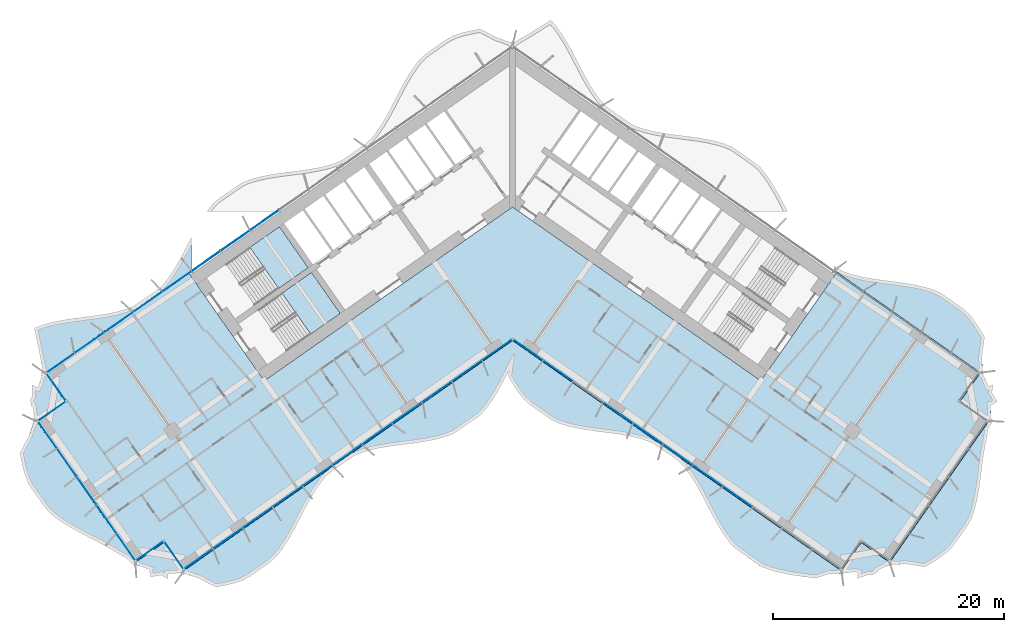
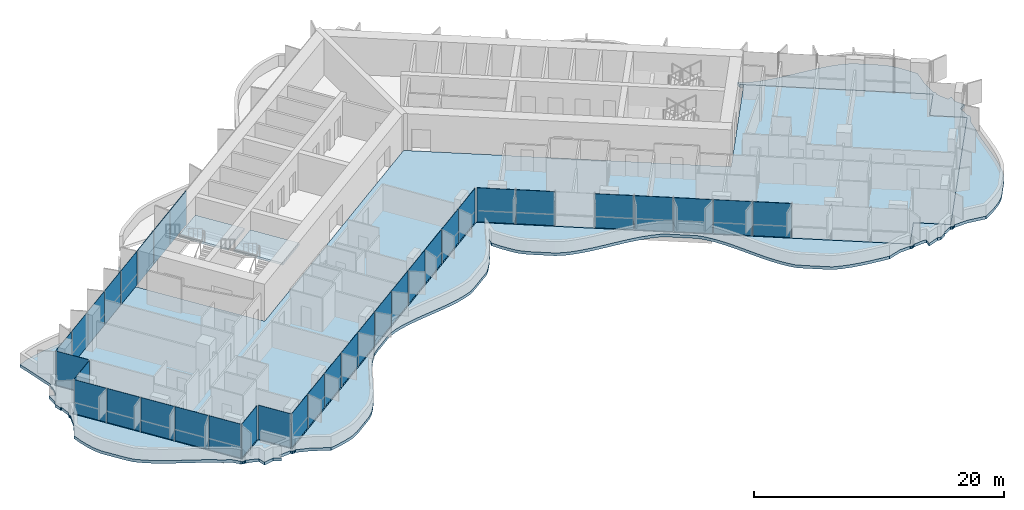
# One storey, part 10 of 23: 35 plates, 4 slabs, 4 elements without a shape of their own.
"""IFC4 building model written with IfcOpenShell, lengths in metres."""

import ifcopenshell
import ifcopenshell.guid

model = None  # the IFC model being written
_history = None  # IfcOwnerHistory: only IFC2X3 demands one
_inside = {}  # id of a spatial element -> (the spatial element, [elements in it])
_under = {}  # id of a project, library or spatial element -> (it, [spatial elements below it])
_declared = {}  # id of a project -> (the project, [libraries it declares])
_typed = {}  # id of a type object -> (the type object, [elements of that type])
_made_of = {}  # id of a material, layer set ... -> (it, [elements and type objects made of it])


def new_model(schema):
    """Start an empty IFC model of exactly this schema.

    Asked for "IFC4X3", IfcOpenShell would pick the latest addendum, in which some entities
    have other attributes; the version numbers below select the first issue.
    IFC2X3 requires an IfcOwnerHistory on every rooted entity: one is made here for all.
    """
    global model, _history
    if schema == "IFC4X3":
        model = ifcopenshell.file(schema_version=(4, 3, 0, 0))
    else:
        model = ifcopenshell.file(schema=schema)
    _inside.clear()
    _under.clear()
    _declared.clear()
    _typed.clear()
    _made_of.clear()
    _history = None
    if model.schema == "IFC2X3":
        org = make("IfcOrganization", Name="unknown")
        user = make(
            "IfcPersonAndOrganization",
            ThePerson=make("IfcPerson", FamilyName="unknown"),
            TheOrganization=org,
        )
        app = make(
            "IfcApplication",
            ApplicationDeveloper=org,
            Version="unknown",
            ApplicationFullName="unknown",
            ApplicationIdentifier="unknown",
        )
        _history = make(
            "IfcOwnerHistory",
            OwningUser=user,
            OwningApplication=app,
            ChangeAction="ADDED",
            CreationDate=0,
        )
    return model


def make(cls, **values):
    """One entity of the class cls with the attributes given. An attribute that is None is left unset."""
    return model.create_entity(
        cls, **{name: value for name, value in values.items() if value is not None}
    )


def rooted(cls, **values):
    """An entity with a GlobalId (a new one), such as an element, a storey or a relation."""
    return make(cls, GlobalId=ifcopenshell.guid.new(), OwnerHistory=_history, **values)


def si_unit(unit_type, name, prefix=None):
    """IfcSIUnit, for example si_unit("LENGTHUNIT", "METRE", prefix="MILLI")."""
    return make("IfcSIUnit", UnitType=unit_type, Prefix=prefix, Name=name)


def assignment(units):
    """IfcUnitAssignment: the units of a project."""
    return None if units is None else make("IfcUnitAssignment", Units=units)


def point(xyz):
    """IfcCartesianPoint."""
    return None if xyz is None else make("IfcCartesianPoint", Coordinates=xyz)


def direction(xyz):
    """IfcDirection."""
    return None if xyz is None else make("IfcDirection", DirectionRatios=xyz)


def frame(location, z_axis=None, x_axis=None):
    """IfcAxis2Placement3D, a coordinate frame: its origin and axes. An axis left out is left unset."""
    return make(
        "IfcAxis2Placement3D",
        Location=point(location),
        Axis=direction(z_axis),
        RefDirection=direction(x_axis),
    )


def frame_2d(location, x_axis=None):
    """IfcAxis2Placement2D, a coordinate frame in the plane: its origin and x axis."""
    return make(
        "IfcAxis2Placement2D", Location=point(location), RefDirection=direction(x_axis)
    )


def origin():
    """The frame at (0, 0, 0) with its axes left unset."""
    return frame((0.0, 0.0, 0.0))


def origin_2d():
    """The frame at (0, 0) in the plane with its x axis left unset."""
    return frame_2d((0.0, 0.0))


def place(relative_to, where):
    """IfcLocalPlacement: puts the frame where relative to a parent placement (None: the world)."""
    return make(
        "IfcLocalPlacement", PlacementRelTo=relative_to, RelativePlacement=where
    )


def context(
    kind, dimensions, precision=None, world=None, true_north=None, identifier=None
):
    """IfcGeometricRepresentationContext, for example the 3D "Model" context."""
    return make(
        "IfcGeometricRepresentationContext",
        ContextIdentifier=identifier,
        ContextType=kind,
        CoordinateSpaceDimension=dimensions,
        Precision=precision,
        WorldCoordinateSystem=world,
        TrueNorth=true_north,
    )


def subcontext(parent, identifier, kind, view, scale=None):
    """IfcGeometricRepresentationSubContext, for example "Body" below "Model"."""
    return make(
        "IfcGeometricRepresentationSubContext",
        ContextIdentifier=identifier,
        ContextType=kind,
        ParentContext=parent,
        TargetScale=scale,
        TargetView=view,
    )


def project(units=None, contexts=None):
    """IfcProject with its units and contexts."""
    return rooted(
        "IfcProject",
        Name="project",
        RepresentationContexts=contexts,
        UnitsInContext=assignment(units),
    )


def spatial(cls, under=None, at=None, **own):
    """A site, building, storey or space (cls), placed at a placement, below another one or the project."""
    s = rooted(cls, ObjectPlacement=at, **own)
    if under is not None:
        _under.setdefault(under.id(), (under, []))[1].append(s)
    return s


def polyline(points):
    """IfcPolyline through the points."""
    return make("IfcPolyline", Points=[point(p) for p in points])


def profile(cls, at=None, kind="AREA", **sizes):
    """A parametric profile (cls). Its sizes go by their IFC names, for example OverallWidth=200.0."""
    return make(cls, ProfileType=kind, Position=at, **sizes)


def rectangle(**sizes):
    """IfcRectangleProfileDef."""
    return profile("IfcRectangleProfileDef", **sizes)


def outline(outer, holes=None, kind="AREA"):
    """IfcArbitraryClosedProfileDef: a profile drawn as a closed curve; with holes, ...WithVoids."""
    if holes is None:
        return make("IfcArbitraryClosedProfileDef", ProfileType=kind, OuterCurve=outer)
    return make(
        "IfcArbitraryProfileDefWithVoids",
        ProfileType=kind,
        OuterCurve=outer,
        InnerCurves=holes,
    )


def extrude(swept, where, along, depth):
    """IfcExtrudedAreaSolid: the profile swept, set in the frame where, extruded along a direction by depth."""
    return make(
        "IfcExtrudedAreaSolid",
        SweptArea=swept,
        Position=where,
        ExtrudedDirection=direction(along),
        Depth=depth,
    )


def shape(context_of_items, identifier, shape_type, items):
    """IfcShapeRepresentation: the items that make up one representation, for example the "Body"."""
    return make(
        "IfcShapeRepresentation",
        ContextOfItems=context_of_items,
        RepresentationIdentifier=identifier,
        RepresentationType=shape_type,
        Items=items,
    )


def material(Name=None, Category=None):
    """IfcMaterial."""
    return make("IfcMaterial", Name=Name, Category=Category)


def layer(
    of_material, thickness, ventilated=None, Name=None, Category=None, Priority=None
):
    """IfcMaterialLayer: one layer of a wall or slab, of a material (None: an air gap)."""
    return make(
        "IfcMaterialLayer",
        Material=of_material,
        LayerThickness=thickness,
        IsVentilated=ventilated,
        Name=Name,
        Category=Category,
        Priority=Priority,
    )


def layer_set(layers, Name=None):
    """IfcMaterialLayerSet."""
    return make("IfcMaterialLayerSet", MaterialLayers=layers, LayerSetName=Name)


def made_of(thing, what):
    """Note that an element or type object is made of a material, layer set ...; save() writes the relation."""
    if what is not None:
        _made_of.setdefault(what.id(), (what, []))[1].append(thing)
    return thing


def type_object(cls, material=None, **own):
    """A type object (cls), such as IfcWallType, which elements share."""
    return made_of(rooted(cls, **own), material)


def element(
    cls,
    number,
    at=None,
    inside=None,
    cuts=None,
    type_object=None,
    material=None,
    context=None,
    identifier="Body",
    shape_type=None,
    held_by="IfcProductDefinitionShape",
    body=None,
    shapes=None,
    **own,
):
    """One element of the class cls, such as IfcWall. Its Tag is "e" and its number.

    at: its placement. inside: the storey or other place that contains it. cuts: it is an
    opening in that element (IfcRelVoidsElement). A single representation is given by context,
    identifier, shape_type and body (its items); several are given by shapes. held_by: the class
    of the entity that holds the representations. save() writes the other relations.
    """
    e = rooted(cls, Tag="e%d" % number, ObjectPlacement=at, **own)
    if body is not None:
        shapes = [shape(context, identifier, shape_type, body)]
    if shapes is not None:
        e.Representation = make(held_by, Representations=shapes)
    if inside is not None:
        _inside.setdefault(inside.id(), (inside, []))[1].append(e)
    if cuts is not None:
        rooted(
            "IfcRelVoidsElement", RelatingBuildingElement=cuts, RelatedOpeningElement=e
        )
    if type_object is not None:
        _typed.setdefault(type_object.id(), (type_object, []))[1].append(e)
    return made_of(e, material)


def aggregate(whole, parts):
    """IfcRelAggregates: a whole, such as a stair, and the parts it consists of."""
    return rooted("IfcRelAggregates", RelatingObject=whole, RelatedObjects=parts)


def save(model, path):
    """Write the relations noted so far, then the file.

    IfcRelAggregates (storeys below a building ...), IfcRelContainedInSpatialStructure (elements
    in a storey), IfcRelDefinesByType, IfcRelAssociatesMaterial and IfcRelDeclares: one each for
    every whole, place, type object, material and project.
    """
    for whole, parts in _under.values():
        aggregate(whole, parts)
    for where, things in _inside.values():
        rooted(
            "IfcRelContainedInSpatialStructure",
            RelatedElements=things,
            RelatingStructure=where,
        )
    for kind, things in _typed.values():
        rooted("IfcRelDefinesByType", RelatedObjects=things, RelatingType=kind)
    for what, things in _made_of.values():
        rooted("IfcRelAssociatesMaterial", RelatedObjects=things, RelatingMaterial=what)
    for by, libraries in _declared.values():
        rooted("IfcRelDeclares", RelatingContext=by, RelatedDefinitions=libraries)
    model.write(path)


model = new_model("IFC4")

# Units and contexts
model_context = context("Model", 3, precision=1e-05, world=origin(), true_north=direction((0.0, 1.0)))
body_context = subcontext(model_context, "Body", "Model", "MODEL_VIEW")
ifc_project = project(units=[si_unit("LENGTHUNIT", "METRE"), si_unit("AREAUNIT", "SQUARE_METRE"), si_unit("VOLUMEUNIT", "CUBIC_METRE"), si_unit("PLANEANGLEUNIT", "RADIAN"), si_unit("MASSUNIT", "GRAM", prefix="KILO")], contexts=[model_context])

# Site, building, storey
site_placement = place(None, origin())
site = spatial("IfcSite", under=ifc_project, at=site_placement, CompositionType="ELEMENT")
building_placement = place(site_placement, origin())
building = spatial("IfcBuilding", under=site, at=building_placement, Name="Tel Ilan Convention Tower", CompositionType="ELEMENT")
storey_placement = place(building_placement, frame((0.0, 0.0, 108.5)))
storey = spatial("IfcBuildingStorey", under=building, at=storey_placement, Name="L23", CompositionType="ELEMENT", Elevation=108.5)

# Curtain wall, plates
ifc_material_1 = material(Name="Aluminium, bronze anodised", Category="aluminium")
curtain_wall_type_1 = type_object("IfcCurtainWallType", Name="CW1 UNITISED CURTAIN WALL, HOTEL TINTED GLASS", PredefinedType="NOTDEFINED", material=ifc_material_1)
curtain_wall_1_placement = place(storey_placement, origin())
curtain_wall_1 = element("IfcCurtainWall", 1, at=curtain_wall_1_placement, inside=storey, type_object=curtain_wall_type_1, Name="Curtain wall CW1-19.02", PredefinedType="NOTDEFINED")
ifc_material_2 = material(Name="Glass, bronze tinted, two-ply unitised", Category="glass")
ifc_layer_1 = layer(ifc_material_2, 0.028076171875)
ifc_layer_set_1 = layer_set([ifc_layer_1], Name="CW HOTEL GLASS PANEL 28")
plate_type_1 = type_object("IfcPlateType", Name="CW HOTEL GLASS PANEL 28", PredefinedType="CURTAIN_PANEL", material=ifc_layer_set_1)
plate_1_placement = place(storey_placement, frame((-29.1171875, -7.692138671875, 0.0), z_axis=(0.0, 0.0, 1.0), x_axis=(-0.819152044289, -0.573576436351, 0.0)))
plate_1 = element("IfcPlate", 2, at=plate_1_placement, type_object=plate_type_1, Name="Glass panel", PredefinedType="CURTAIN_PANEL", context=body_context, shape_type="SweptSolid", body=[
    extrude(rectangle(XDim=3.037109375, YDim=0.028076171875, at=origin_2d()), origin(), (0.0, 0.0, 1.0), 3.320068359375),
])
plate_2_placement = place(storey_placement, frame((-31.654296875, -9.468505859375, 0.0), z_axis=(0.0, 0.0, 1.0), x_axis=(-0.819152044289, -0.573576436351, 0.0)))
plate_2 = element("IfcPlate", 3, at=plate_2_placement, type_object=plate_type_1, Name="Glass panel", PredefinedType="CURTAIN_PANEL", context=body_context, shape_type="SweptSolid", body=[
    extrude(rectangle(XDim=3.037109375, YDim=0.028076171875, at=origin_2d()), origin(), (0.0, 0.0, 1.0), 3.320068359375),
])
plate_3_placement = place(storey_placement, frame((-34.191162109375, -11.244873046875, 0.0), z_axis=(0.0, 0.0, 1.0), x_axis=(-0.819152044289, -0.573576436351, 0.0)))
plate_3 = element("IfcPlate", 4, at=plate_3_placement, type_object=plate_type_1, Name="Glass panel", PredefinedType="CURTAIN_PANEL", context=body_context, shape_type="SweptSolid", body=[
    extrude(rectangle(XDim=3.037109375, YDim=0.028076171875, at=origin_2d()), origin(), (0.0, 0.0, 1.0), 3.320068359375),
])
plate_4_placement = place(storey_placement, frame((-36.72802734375, -13.021240234375, 0.0), z_axis=(0.0, 0.0, 1.0), x_axis=(-0.819152044289, -0.573576436351, 0.0)))
plate_4 = element("IfcPlate", 5, at=plate_4_placement, type_object=plate_type_1, Name="Glass panel", PredefinedType="CURTAIN_PANEL", context=body_context, shape_type="SweptSolid", body=[
    extrude(rectangle(XDim=3.037109375, YDim=0.028076171875, at=origin_2d()), origin(), (0.0, 0.0, 1.0), 3.320068359375),
])
plate_5_placement = place(storey_placement, frame((-39.2265625, -14.7705078125, 0.0), z_axis=(0.0, 0.0, 1.0), x_axis=(-0.819152044289, -0.573576436351, 0.0)))
plate_5 = element("IfcPlate", 6, at=plate_5_placement, type_object=plate_type_1, Name="Glass panel", PredefinedType="CURTAIN_PANEL", context=body_context, shape_type="SweptSolid", body=[
    extrude(rectangle(XDim=2.943115234375, YDim=0.028076171875, at=origin_2d()), origin(), (0.0, 0.0, 1.0), 3.320068359375),
])
plate_6_placement = place(storey_placement, frame((-39.61328125, -16.82568359375, 0.0), z_axis=(0.0, 0.0, 1.0), x_axis=(0.573576436351, -0.819152044289, 0.0)))
plate_6 = element("IfcPlate", 7, at=plate_6_placement, type_object=plate_type_1, Name="Glass panel", PredefinedType="CURTAIN_PANEL", context=body_context, shape_type="SweptSolid", body=[
    extrude(rectangle(XDim=2.875, YDim=0.028076171875, at=origin_2d()), origin(), (0.0, 0.0, 1.0), 3.320068359375),
])
plate_7_placement = place(storey_placement, frame((-39.990966796875, -18.96826171875, 0.0), z_axis=(0.0, 0.0, 1.0), x_axis=(-0.819152044289, -0.573576436351, 0.0)))
plate_7 = element("IfcPlate", 8, at=plate_7_placement, type_object=plate_type_1, Name="Glass panel", PredefinedType="CURTAIN_PANEL", context=body_context, shape_type="SweptSolid", body=[
    extrude(rectangle(XDim=2.875, YDim=0.028076171875, at=origin_2d()), origin(), (0.0, 0.0, 1.0), 3.320068359375),
])
plate_8_placement = place(storey_placement, frame((-40.358154296875, -20.991943359375, 0.0), z_axis=(0.0, 0.0, 1.0), x_axis=(0.573576436351, -0.819152044289, 0.0)))
plate_8 = element("IfcPlate", 9, at=plate_8_placement, type_object=plate_type_1, Name="Glass panel", PredefinedType="CURTAIN_PANEL", context=body_context, shape_type="SweptSolid", body=[
    extrude(rectangle(XDim=2.845947265625, YDim=0.028076171875, at=origin_2d()), origin(), (0.0, 0.0, 1.0), 3.320068359375),
])
plate_9_placement = place(storey_placement, frame((-38.66455078125, -23.410888671875, 0.0), z_axis=(0.0, 0.0, 1.0), x_axis=(0.573576436351, -0.819152044289, 0.0)))
plate_9 = element("IfcPlate", 10, at=plate_9_placement, type_object=plate_type_1, Name="Glass panel", PredefinedType="CURTAIN_PANEL", context=body_context, shape_type="SweptSolid", body=[
    extrude(rectangle(XDim=2.93994140625, YDim=0.028076171875, at=origin_2d()), origin(), (0.0, 0.0, 1.0), 3.320068359375),
])
plate_10_placement = place(storey_placement, frame((-36.94384765625, -25.868408203125, 0.0), z_axis=(0.0, 0.0, 1.0), x_axis=(0.573576436351, -0.819152044289, 0.0)))
plate_10 = element("IfcPlate", 11, at=plate_10_placement, type_object=plate_type_1, Name="Glass panel", PredefinedType="CURTAIN_PANEL", context=body_context, shape_type="SweptSolid", body=[
    extrude(rectangle(XDim=2.93994140625, YDim=0.028076171875, at=origin_2d()), origin(), (0.0, 0.0, 1.0), 3.320068359375),
])
plate_11_placement = place(storey_placement, frame((-35.22314453125, -28.32568359375, 0.0), z_axis=(0.0, 0.0, 1.0), x_axis=(0.573576436351, -0.819152044289, 0.0)))
plate_11 = element("IfcPlate", 12, at=plate_11_placement, type_object=plate_type_1, Name="Glass panel", PredefinedType="CURTAIN_PANEL", context=body_context, shape_type="SweptSolid", body=[
    extrude(rectangle(XDim=2.93994140625, YDim=0.028076171875, at=origin_2d()), origin(), (0.0, 0.0, 1.0), 3.320068359375),
])
plate_12_placement = place(storey_placement, frame((-33.529296875, -30.74462890625, 0.0), z_axis=(0.0, 0.0, 1.0), x_axis=(0.573576436351, -0.819152044289, 0.0)))
plate_12 = element("IfcPlate", 13, at=plate_12_placement, type_object=plate_type_1, Name="Glass panel", PredefinedType="CURTAIN_PANEL", context=body_context, shape_type="SweptSolid", body=[
    extrude(rectangle(XDim=2.845947265625, YDim=0.028076171875, at=origin_2d()), origin(), (0.0, 0.0, 1.0), 3.320068359375),
])
plate_13_placement = place(storey_placement, frame((-31.502197265625, -31.091796875, 0.0), z_axis=(0.0, 0.0, 1.0), x_axis=(0.819152044289, 0.573576436351, 0.0)))
plate_13 = element("IfcPlate", 14, at=plate_13_placement, type_object=plate_type_1, Name="Glass panel", PredefinedType="CURTAIN_PANEL", context=body_context, shape_type="SweptSolid", body=[
    extrude(rectangle(XDim=2.875, YDim=0.028076171875, at=origin_2d()), origin(), (0.0, 0.0, 1.0), 3.320068359375),
])
plate_14_placement = place(storey_placement, frame((-29.359375, -31.469482421875, 0.0), z_axis=(0.0, 0.0, 1.0), x_axis=(0.573576436351, -0.819152044289, 0.0)))
plate_14 = element("IfcPlate", 15, at=plate_14_placement, type_object=plate_type_1, Name="Glass panel", PredefinedType="CURTAIN_PANEL", context=body_context, shape_type="SweptSolid", body=[
    extrude(rectangle(XDim=2.875, YDim=0.028076171875, at=origin_2d()), origin(), (0.0, 0.0, 1.0), 3.320068359375),
])
plate_15_placement = place(storey_placement, frame((-27.26708984375, -31.78857421875, 0.0), z_axis=(0.0, 0.0, 1.0), x_axis=(0.819152044289, 0.573576436351, 0.0)))
plate_15 = element("IfcPlate", 16, at=plate_15_placement, type_object=plate_type_1, Name="Glass panel", PredefinedType="CURTAIN_PANEL", context=body_context, shape_type="SweptSolid", body=[
    extrude(rectangle(XDim=3.013916015625, YDim=0.028076171875, at=origin_2d()), origin(), (0.0, 0.0, 1.0), 3.320068359375),
])
plate_16_placement = place(storey_placement, frame((-24.71044921875, -29.99853515625, 0.0), z_axis=(0.0, 0.0, 1.0), x_axis=(0.819152044289, 0.573576436351, 0.0)))
plate_16 = element("IfcPlate", 17, at=plate_16_placement, type_object=plate_type_1, Name="Glass panel", PredefinedType="CURTAIN_PANEL", context=body_context, shape_type="SweptSolid", body=[
    extrude(rectangle(XDim=3.10791015625, YDim=0.028076171875, at=origin_2d()), origin(), (0.0, 0.0, 1.0), 3.320068359375),
])
plate_17_placement = place(storey_placement, frame((-22.115478515625, -28.181396484375, 0.0), z_axis=(0.0, 0.0, 1.0), x_axis=(0.819152044289, 0.573576436351, 0.0)))
plate_17 = element("IfcPlate", 18, at=plate_17_placement, type_object=plate_type_1, Name="Glass panel", PredefinedType="CURTAIN_PANEL", context=body_context, shape_type="SweptSolid", body=[
    extrude(rectangle(XDim=3.10791015625, YDim=0.028076171875, at=origin_2d()), origin(), (0.0, 0.0, 1.0), 3.320068359375),
])
plate_18_placement = place(storey_placement, frame((-19.520263671875, -26.3642578125, 0.0), z_axis=(0.0, 0.0, 1.0), x_axis=(0.819152044289, 0.573576436351, 0.0)))
plate_18 = element("IfcPlate", 19, at=plate_18_placement, type_object=plate_type_1, Name="Glass panel", PredefinedType="CURTAIN_PANEL", context=body_context, shape_type="SweptSolid", body=[
    extrude(rectangle(XDim=3.10791015625, YDim=0.028076171875, at=origin_2d()), origin(), (0.0, 0.0, 1.0), 3.320068359375),
])
plate_19_placement = place(storey_placement, frame((-16.92529296875, -24.54736328125, 0.0), z_axis=(0.0, 0.0, 1.0), x_axis=(0.819152044289, 0.573576436351, 0.0)))
plate_19 = element("IfcPlate", 20, at=plate_19_placement, type_object=plate_type_1, Name="Glass panel", PredefinedType="CURTAIN_PANEL", context=body_context, shape_type="SweptSolid", body=[
    extrude(rectangle(XDim=3.10791015625, YDim=0.028076171875, at=origin_2d()), origin(), (0.0, 0.0, 1.0), 3.320068359375),
])
plate_20_placement = place(storey_placement, frame((-14.330078125, -22.730224609375, 0.0), z_axis=(0.0, 0.0, 1.0), x_axis=(0.819152044289, 0.573576436351, 0.0)))
plate_20 = element("IfcPlate", 21, at=plate_20_placement, type_object=plate_type_1, Name="Glass panel", PredefinedType="CURTAIN_PANEL", context=body_context, shape_type="SweptSolid", body=[
    extrude(rectangle(XDim=3.10791015625, YDim=0.028076171875, at=origin_2d()), origin(), (0.0, 0.0, 1.0), 3.320068359375),
])
plate_21_placement = place(storey_placement, frame((-11.735107421875, -20.9130859375, 0.0), z_axis=(0.0, 0.0, 1.0), x_axis=(0.819152044289, 0.573576436351, 0.0)))
plate_21 = element("IfcPlate", 22, at=plate_21_placement, type_object=plate_type_1, Name="Glass panel", PredefinedType="CURTAIN_PANEL", context=body_context, shape_type="SweptSolid", body=[
    extrude(rectangle(XDim=3.10791015625, YDim=0.028076171875, at=origin_2d()), origin(), (0.0, 0.0, 1.0), 3.320068359375),
])
plate_22_placement = place(storey_placement, frame((-9.14013671875, -19.095947265625, 0.0), z_axis=(0.0, 0.0, 1.0), x_axis=(0.819152044289, 0.573576436351, 0.0)))
plate_22 = element("IfcPlate", 23, at=plate_22_placement, type_object=plate_type_1, Name="Glass panel", PredefinedType="CURTAIN_PANEL", context=body_context, shape_type="SweptSolid", body=[
    extrude(rectangle(XDim=3.10791015625, YDim=0.028076171875, at=origin_2d()), origin(), (0.0, 0.0, 1.0), 3.320068359375),
])
plate_23_placement = place(storey_placement, frame((-6.544921875, -17.27880859375, 0.0), z_axis=(0.0, 0.0, 1.0), x_axis=(0.819152044289, 0.573576436351, 0.0)))
plate_23 = element("IfcPlate", 24, at=plate_23_placement, type_object=plate_type_1, Name="Glass panel", PredefinedType="CURTAIN_PANEL", context=body_context, shape_type="SweptSolid", body=[
    extrude(rectangle(XDim=3.10791015625, YDim=0.028076171875, at=origin_2d()), origin(), (0.0, 0.0, 1.0), 3.320068359375),
])
plate_24_placement = place(storey_placement, frame((-3.949951171875, -15.4619140625, 0.0), z_axis=(0.0, 0.0, 1.0), x_axis=(0.819152044289, 0.573576436351, 0.0)))
plate_24 = element("IfcPlate", 25, at=plate_24_placement, type_object=plate_type_1, Name="Glass panel", PredefinedType="CURTAIN_PANEL", context=body_context, shape_type="SweptSolid", body=[
    extrude(rectangle(XDim=3.10791015625, YDim=0.028076171875, at=origin_2d()), origin(), (0.0, 0.0, 1.0), 3.320068359375),
])
plate_25_placement = place(storey_placement, frame((-1.355224609375, -13.64501953125, 0.0), z_axis=(0.0, 0.0, 1.0), x_axis=(0.819152044289, 0.573576436351, 0.0)))
plate_25 = element("IfcPlate", 26, at=plate_25_placement, type_object=plate_type_1, Name="Glass panel", PredefinedType="CURTAIN_PANEL", context=body_context, shape_type="SweptSolid", body=[
    extrude(rectangle(XDim=3.10693359375, YDim=0.028076171875, at=origin_2d()), origin(), (0.0, 0.0, 1.0), 3.320068359375),
])
plate_26_placement = place(storey_placement, frame((1.366943359375, -13.653076171875, 0.0), z_axis=(0.0, 0.0, 1.0), x_axis=(0.819152044289, -0.573576436351, 0.0)))
plate_26 = element("IfcPlate", 27, at=plate_26_placement, type_object=plate_type_1, Name="Glass panel", PredefinedType="CURTAIN_PANEL", context=body_context, shape_type="SweptSolid", body=[
    extrude(rectangle(XDim=3.078857421875, YDim=0.028076171875, at=origin_2d()), origin(), (0.0, 0.0, 1.0), 3.320068359375),
])
plate_27_placement = place(storey_placement, frame((3.949951171875, -15.4619140625, 0.0), z_axis=(0.0, 0.0, 1.0), x_axis=(0.819152044289, -0.573576436351, 0.0)))
plate_27 = element("IfcPlate", 28, at=plate_27_placement, type_object=plate_type_1, Name="Glass panel", PredefinedType="CURTAIN_PANEL", context=body_context, shape_type="SweptSolid", body=[
    extrude(rectangle(XDim=3.10791015625, YDim=0.028076171875, at=origin_2d()), origin(), (0.0, 0.0, 1.0), 3.320068359375),
])
plate_28_placement = place(storey_placement, frame((9.14013671875, -19.095947265625, 0.0), z_axis=(0.0, 0.0, 1.0), x_axis=(0.819152044289, -0.573576436351, 0.0)))
plate_28 = element("IfcPlate", 29, at=plate_28_placement, type_object=plate_type_1, Name="Glass panel", PredefinedType="CURTAIN_PANEL", context=body_context, shape_type="SweptSolid", body=[
    extrude(rectangle(XDim=3.10791015625, YDim=0.028076171875, at=origin_2d()), origin(), (0.0, 0.0, 1.0), 3.320068359375),
])
plate_29_placement = place(storey_placement, frame((11.735107421875, -20.9130859375, 0.0), z_axis=(0.0, 0.0, 1.0), x_axis=(0.819152044289, -0.573576436351, 0.0)))
plate_29 = element("IfcPlate", 30, at=plate_29_placement, type_object=plate_type_1, Name="Glass panel", PredefinedType="CURTAIN_PANEL", context=body_context, shape_type="SweptSolid", body=[
    extrude(rectangle(XDim=3.10791015625, YDim=0.028076171875, at=origin_2d()), origin(), (0.0, 0.0, 1.0), 3.320068359375),
])
plate_30_placement = place(storey_placement, frame((14.330078125, -22.730224609375, 0.0), z_axis=(0.0, 0.0, 1.0), x_axis=(0.819152044289, -0.573576436351, 0.0)))
plate_30 = element("IfcPlate", 31, at=plate_30_placement, type_object=plate_type_1, Name="Glass panel", PredefinedType="CURTAIN_PANEL", context=body_context, shape_type="SweptSolid", body=[
    extrude(rectangle(XDim=3.10791015625, YDim=0.028076171875, at=origin_2d()), origin(), (0.0, 0.0, 1.0), 3.320068359375),
])
plate_31_placement = place(storey_placement, frame((16.92529296875, -24.54736328125, 0.0), z_axis=(0.0, 0.0, 1.0), x_axis=(0.819152044289, -0.573576436351, 0.0)))
plate_31 = element("IfcPlate", 32, at=plate_31_placement, type_object=plate_type_1, Name="Glass panel", PredefinedType="CURTAIN_PANEL", context=body_context, shape_type="SweptSolid", body=[
    extrude(rectangle(XDim=3.10791015625, YDim=0.028076171875, at=origin_2d()), origin(), (0.0, 0.0, 1.0), 3.320068359375),
])
plate_32_placement = place(storey_placement, frame((19.520263671875, -26.3642578125, 0.0), z_axis=(0.0, 0.0, 1.0), x_axis=(0.819152044289, -0.573576436351, 0.0)))
plate_32 = element("IfcPlate", 33, at=plate_32_placement, type_object=plate_type_1, Name="Glass panel", PredefinedType="CURTAIN_PANEL", context=body_context, shape_type="SweptSolid", body=[
    extrude(rectangle(XDim=3.10791015625, YDim=0.028076171875, at=origin_2d()), origin(), (0.0, 0.0, 1.0), 3.320068359375),
])
aggregate(curtain_wall_1, [plate_1, plate_2, plate_3, plate_4, plate_5, plate_6, plate_7, plate_8, plate_9, plate_10, plate_11, plate_12, plate_13, plate_14, plate_15, plate_16, plate_17, plate_18, plate_19, plate_20, plate_21, plate_22, plate_23, plate_24, plate_25, plate_26, plate_27, plate_28, plate_29, plate_30, plate_31, plate_32])

ifc_material_3 = material(Name="Aluminium, bronze anodised", Category="aluminium")
curtain_wall_type_2 = type_object("IfcCurtainWallType", Name="CW2 STICK CURTAIN WALL, SPANDREL PANELS", PredefinedType="NOTDEFINED", material=ifc_material_3)
curtain_wall_2_placement = place(storey_placement, origin())
curtain_wall_2 = element("IfcCurtainWall", 34, at=curtain_wall_2_placement, inside=storey, type_object=curtain_wall_type_2, Name="Curtain wall CW2-19.01", PredefinedType="NOTDEFINED")
ifc_material_4 = material(Name="Aluminium composite panel, bronze anodised", Category="aluminium")
ifc_layer_2 = layer(ifc_material_4, 0.06005859375)
ifc_layer_set_2 = layer_set([ifc_layer_2], Name="CW SPANDREL PANEL 60")
plate_type_2 = type_object("IfcPlateType", Name="CW SPANDREL PANEL 60", PredefinedType="CURTAIN_PANEL", material=ifc_layer_set_2)
plate_33_placement = place(storey_placement, frame((-21.506591796875, -2.363037109375, 0.0), z_axis=(0.0, 0.0, 1.0), x_axis=(-0.819152044289, -0.573576436351, 0.0)))
plate_33 = element("IfcPlate", 35, at=plate_33_placement, type_object=plate_type_2, Name="Spandrel panel", PredefinedType="CURTAIN_PANEL", context=body_context, shape_type="SweptSolid", body=[
    extrude(rectangle(XDim=3.037109375, YDim=0.06005859375, at=origin_2d()), origin(), (0.0, 0.0, 1.0), 3.320068359375),
])
plate_34_placement = place(storey_placement, frame((-24.04345703125, -4.139404296875, 0.0), z_axis=(0.0, 0.0, 1.0), x_axis=(-0.819152044289, -0.573576436351, 0.0)))
plate_34 = element("IfcPlate", 36, at=plate_34_placement, type_object=plate_type_2, Name="Spandrel panel", PredefinedType="CURTAIN_PANEL", context=body_context, shape_type="SweptSolid", body=[
    extrude(rectangle(XDim=3.037109375, YDim=0.06005859375, at=origin_2d()), origin(), (0.0, 0.0, 1.0), 3.320068359375),
])
plate_35_placement = place(storey_placement, frame((-26.580322265625, -5.915771484375, 0.0), z_axis=(0.0, 0.0, 1.0), x_axis=(-0.819152044289, -0.573576436351, 0.0)))
plate_35 = element("IfcPlate", 37, at=plate_35_placement, type_object=plate_type_2, Name="Spandrel panel", PredefinedType="CURTAIN_PANEL", context=body_context, shape_type="SweptSolid", body=[
    extrude(rectangle(XDim=3.037109375, YDim=0.06005859375, at=origin_2d()), origin(), (0.0, 0.0, 1.0), 3.320068359375),
])
aggregate(curtain_wall_2, [plate_33, plate_34, plate_35])

# Stair, slab
ifc_material_5 = material(Name="Concrete C40/50", Category="concrete")
stair_type = type_object("IfcStairType", Name="Pressurised Exit Stair 20 risers 180 mm", PredefinedType="HALF_TURN_STAIR", material=ifc_material_5)
stair_1_placement = place(storey_placement, origin())
stair_1 = element("IfcStair", 38, at=stair_1_placement, inside=storey, type_object=stair_type, Name="L23 Pressurised Stair S1", PredefinedType="HALF_TURN_STAIR")
ifc_material_6 = material(Name="Concrete C40/50", Category="concrete")
ifc_layer_3 = layer(ifc_material_6, 0.199951171875)
ifc_layer_set_3 = layer_set([ifc_layer_3], Name="Concrete Stair Landing 200 mm C40/50")
slab_type_1 = type_object("IfcSlabType", Name="Concrete Stair Landing 200 mm", PredefinedType="LANDING", material=ifc_layer_set_3)
slab_1_placement = place(storey_placement, frame((0.0, 0.0, 1.60009765625)))
slab_1 = element("IfcSlab", 39, at=slab_1_placement, type_object=slab_type_1, Name="S1 landing 1", PredefinedType="LANDING", context=body_context, shape_type="SweptSolid", body=[
    extrude(outline(polyline([(-20.2958984375, -8.29052734375), (-17.7314453125, -6.494873046875), (-20.226318359375, -2.931640625), (-22.791015625, -4.727294921875), (-20.2958984375, -8.29052734375)])), origin(), (0.0, 0.0, 1.0), 0.199951171875),
])
aggregate(stair_1, [slab_1])

stair_2_placement = place(storey_placement, origin())
stair_2 = element("IfcStair", 40, at=stair_2_placement, inside=storey, type_object=stair_type, Name="L23 Pressurised Stair S2", PredefinedType="HALF_TURN_STAIR")
slab_2_placement = place(storey_placement, frame((0.0, 0.0, 1.60009765625)))
slab_2 = element("IfcSlab", 41, at=slab_2_placement, type_object=slab_type_1, Name="S2 landing 1", PredefinedType="LANDING", context=body_context, shape_type="SweptSolid", body=[
    extrude(outline(polyline([(-17.51416015625, -12.263427734375), (-14.949462890625, -10.4677734375), (-17.444580078125, -6.904541015625), (-20.00927734375, -8.7001953125), (-17.51416015625, -12.263427734375)])), origin(), (0.0, 0.0, 1.0), 0.199951171875),
])
aggregate(stair_2, [slab_2])

# Slabs
ifc_material_7 = material(Name="Concrete C40/50", Category="concrete")
ifc_layer_4 = layer(ifc_material_7, 0.280029296875)
ifc_layer_set_4 = layer_set([ifc_layer_4], Name="Edge Ledge Slab 280 mm C40/50")
slab_type_2 = type_object("IfcSlabType", Name="Edge Ledge Slab 280 mm C40/50", PredefinedType="FLOOR", material=ifc_layer_set_4)
slab_3_placement = place(storey_placement, frame((0.0, 0.0, -0.280029296875)))
element("IfcSlab", 42, at=slab_3_placement, inside=storey, type_object=slab_type_2, Name="L23 edge ledge 1", PredefinedType="FLOOR", context=body_context, shape_type="SweptSolid", body=[
    extrude(outline(polyline([(-41.327392578125, -19.781982421875), (-32.723876953125, -32.0693359375), (-30.266357421875, -30.3486328125), (-30.09423828125, -30.59423828125), (-28.714599609375, -32.56494140625), (-28.545654296875, -32.805908203125), (0.0, -12.818115234375), (28.545654296875, -32.805908203125), (28.712890625, -32.567138671875), (30.09423828125, -30.59423828125), (30.266357421875, -30.3486328125), (32.723876953125, -32.0693359375), (41.327392578125, -19.781982421875), (41.08837890625, -19.61474609375), (40.098876953125, -18.921630859375), (38.8701171875, -18.061279296875), (40.5908203125, -15.603759765625), (27.875, -6.7001953125), (27.875, -6.333740234375), (28.040283203125, -6.44970703125), (28.68408203125, -6.820068359375), (29.414794921875, -7.0654296875), (30.181884765625, -7.259521484375), (30.97802734375, -7.412109375), (31.79443359375, -7.535400390625), (32.6220703125, -7.64306640625), (33.450927734375, -7.748779296875), (34.27099609375, -7.86669921875), (35.072998046875, -8.0107421875), (35.84814453125, -8.193115234375), (36.5888671875, -8.4248046875), (37.260498046875, -8.755126953125), (39.077880859375, -10.027587890625), (39.63232421875, -10.525390625), (40.108154296875, -11.13525390625), (40.548583984375, -11.795654296875), (40.96044921875, -12.496826171875), (40.743408203125, -14.096435546875), (40.7626953125, -15.358154296875), (40.759521484375, -15.36279296875), (40.802978515625, -15.3916015625), (40.867919921875, -15.489013671875), (40.890869140625, -15.603759765625), (40.867919921875, -15.718505859375), (40.831787109375, -15.772705078125), (40.83642578125, -15.77587890625), (41.29638671875, -16.79443359375), (41.686767578125, -16.65380859375), (41.602294921875, -17.322509765625), (42.063720703125, -18.10009765625), (41.508056640625, -18.443603515625), (41.487548828125, -18.439453125), (41.49951171875, -19.536376953125), (41.496337890625, -19.541015625), (41.53955078125, -19.56982421875), (41.604736328125, -19.667236328125), (41.62744140625, -19.781982421875), (41.604736328125, -19.896728515625), (41.568603515625, -19.95068359375), (41.5732421875, -19.9541015625), (41.24267578125, -20.594482421875), (41.12841796875, -21.386474609375), (40.97021484375, -22.147705078125), (40.841064453125, -22.929443359375), (40.732421875, -23.72509765625), (40.631103515625, -24.5263671875), (40.52490234375, -25.323974609375), (40.40087890625, -26.10888671875), (40.247314453125, -26.87353515625), (40.0537109375, -27.60986328125), (39.810791015625, -28.311767578125), (39.44189453125, -28.925537109375), (38.212890625, -30.680908203125), (37.701904296875, -31.195068359375), (37.104736328125, -31.64892578125), (36.4619140625, -32.07080078125), (35.769775390625, -32.4580078125), (34.16845703125, -32.208740234375), (32.969482421875, -32.241455078125), (32.96484375, -32.238037109375), (32.93603515625, -32.281494140625), (32.838623046875, -32.346435546875), (32.723876953125, -32.369384765625), (32.60888671875, -32.346435546875), (32.554931640625, -32.310302734375), (32.5517578125, -32.31494140625), (31.685546875, -32.75439453125), (31.7392578125, -32.8447265625), (31.18359375, -33.188232421875), (30.877685546875, -33.126708984375), (29.9072265625, -33.476806640625), (29.97412109375, -32.9453125), (29.716796875, -32.8935546875), (28.79150390625, -32.97802734375), (28.78662109375, -32.974853515625), (28.7578125, -33.018310546875), (28.660400390625, -33.083251953125), (28.545654296875, -33.10595703125), (28.430908203125, -33.083251953125), (28.376953125, -33.047119140625), (28.37353515625, -33.0517578125), (27.44921875, -33.079345703125), (26.29443359375, -33.435546875), (25.462646484375, -33.3310546875), (24.635986328125, -33.218994140625), (23.824462890625, -33.08544921875), (23.03662109375, -32.91748046875), (22.281005859375, -32.7041015625), (21.564697265625, -32.434814453125), (19.742431640625, -31.158935546875), (19.1513671875, -30.71044921875), (18.660888671875, -30.1181640625), (18.2080078125, -29.47216796875), (17.785888671875, -28.782470703125), (17.38623046875, -28.060546875), (16.999755859375, -27.31982421875), (16.61669921875, -26.574462890625), (16.2265625, -25.838623046875), (15.8203125, -25.12646484375), (15.388427734375, -24.450439453125), (14.92333984375, -23.822021484375), (14.404296875, -23.2705078125), (12.58251953125, -21.99462890625), (11.9423828125, -21.61572265625), (11.211669921875, -21.366943359375), (10.444091796875, -21.17041015625), (9.647216796875, -21.015625), (8.829345703125, -20.89111328125), (8.0, -20.782958984375), (7.1689453125, -20.677001953125), (6.34619140625, -20.559326171875), (5.54150390625, -20.416015625), (4.763427734375, -20.234375), (4.02001953125, -20.003662109375), (3.343994140625, -19.676513671875), (1.52197265625, -18.400634765625), (0.964599609375, -17.90380859375), (0.4873046875, -17.293212890625), (0.04541015625, -16.631591796875), (-0.367919921875, -15.928955078125), (-0.29345703125, -15.373291015625), (-0.56103515625, -15.89501953125), (-0.94921875, -16.63330078125), (-1.352294921875, -17.350341796875), (-1.779296875, -18.032958984375), (-2.23828125, -18.669921875), (-2.736572265625, -19.251220703125), (-4.55859375, -20.527099609375), (-5.18212890625, -20.92919921875), (-5.906494140625, -21.1875), (-6.66845703125, -21.39208984375), (-7.4609375, -21.552734375), (-8.27587890625, -21.681396484375), (-9.104248046875, -21.791259765625), (-9.935791015625, -21.896484375), (-10.760498046875, -22.01123046875), (-11.56884765625, -22.1494140625), (-12.351806640625, -22.32421875), (-13.101318359375, -22.546142578125), (-13.797119140625, -22.84521484375), (-15.619140625, -24.12109375), (-16.194091796875, -24.5927734375), (-16.677734375, -25.1943359375), (-17.125, -25.848388671875), (-17.54296875, -26.544189453125), (-17.939697265625, -27.270263671875), (-18.3251953125, -28.0126953125), (-18.708740234375, -28.75732421875), (-19.1005859375, -29.490234375), (-19.510498046875, -30.197509765625), (-19.947509765625, -30.8662109375), (-20.41845703125, -31.486083984375), (-20.957275390625, -32.009521484375), (-22.779296875, -33.28515625), (-23.436767578125, -33.638916015625), (-24.174072265625, -33.87890625), (-24.94677734375, -34.067626953125), (-25.748291015625, -34.2158203125), (-27.177490234375, -33.46728515625), (-28.37353515625, -33.0517578125), (-28.376953125, -33.047119140625), (-28.430908203125, -33.083251953125), (-28.545654296875, -33.10595703125), (-28.660400390625, -33.083251953125), (-28.7578125, -33.018310546875), (-28.78662109375, -32.974853515625), (-28.79150390625, -32.97802734375), (-29.906005859375, -33.06201171875), (-29.9072265625, -33.476806640625), (-30.5068359375, -33.168701171875), (-31.39501953125, -33.336181640625), (-31.52783203125, -32.69677734375), (-31.51708984375, -32.678955078125), (-32.5517578125, -32.31494140625), (-32.554931640625, -32.310302734375), (-32.60888671875, -32.346435546875), (-32.723876953125, -32.369384765625), (-32.838623046875, -32.346435546875), (-32.93603515625, -32.281494140625), (-32.96484375, -32.238037109375), (-32.969482421875, -32.241455078125), (-33.458251953125, -31.711669921875), (-34.16357421875, -31.33349609375), (-34.82470703125, -30.92431640625), (-35.514892578125, -30.535888671875), (-36.2255859375, -30.161376953125), (-36.94384765625, -29.792236328125), (-37.656982421875, -29.419677734375), (-38.352294921875, -29.03466796875), (-39.018310546875, -28.62890625), (-39.643798828125, -28.195068359375), (-40.220458984375, -27.726806640625), (-40.671142578125, -27.170166015625), (-41.900146484375, -25.414794921875), (-42.20849609375, -24.7587890625), (-42.430908203125, -24.04248046875), (-42.607421875, -23.294189453125), (-42.734619140625, -22.51123046875), (-41.95263671875, -21.091796875), (-41.5732421875, -19.9541015625), (-41.568603515625, -19.95068359375), (-41.604736328125, -19.896728515625), (-41.62744140625, -19.781982421875), (-41.604736328125, -19.667236328125), (-41.53955078125, -19.56982421875), (-41.496337890625, -19.541015625), (-41.49951171875, -19.536376953125), (-41.6162109375, -18.572021484375), (-41.719482421875, -18.591552734375), (-41.852294921875, -17.9521484375), (-41.68994140625, -17.685546875), (-41.686767578125, -16.65380859375), (-41.210205078125, -16.898681640625), (-41.073486328125, -16.67431640625), (-40.83642578125, -15.77587890625), (-40.831787109375, -15.772705078125), (-40.867919921875, -15.718505859375), (-40.890869140625, -15.603759765625), (-40.867919921875, -15.489013671875), (-40.802978515625, -15.3916015625), (-40.759521484375, -15.36279296875), (-40.7626953125, -15.358154296875), (-41.11181640625, -13.5703125), (-41.499267578125, -11.727294921875), (-40.784912109375, -11.45849609375), (-40.03076171875, -11.24609375), (-39.244873046875, -11.078857421875), (-38.43505859375, -10.94580078125), (-37.610595703125, -10.833984375), (-36.781005859375, -10.729248046875), (-35.956298828125, -10.61767578125), (-35.146240234375, -10.485107421875), (-34.360107421875, -10.318603515625), (-33.60546875, -10.106689453125), (-32.88916015625, -9.84033203125), (-32.28125, -9.419189453125), (-31.069580078125, -8.57080078125), (-30.476318359375, -8.128662109375), (-29.9853515625, -7.540283203125), (-29.5322265625, -6.89794921875), (-29.10986328125, -6.211669921875), (-28.71044921875, -5.492919921875), (-28.324462890625, -4.754638671875), (-27.9423828125, -4.010986328125), (-27.875, -3.88330078125), (-27.875, -6.7001953125), (-40.5908203125, -15.603759765625), (-38.8701171875, -18.061279296875), (-40.098876953125, -18.921630859375), (-41.08642578125, -19.61328125), (-41.327392578125, -19.781982421875)])), origin(), (0.0, 0.0, 1.0), 0.280029296875),
])
ifc_material_8 = material(Name="Concrete C40/50", Category="concrete")
ifc_layer_5 = layer(ifc_material_8, 0.280029296875)
ifc_layer_set_5 = layer_set([ifc_layer_5], Name="Flat Plate Floor Slab 280 mm C40/50")
slab_type_3 = type_object("IfcSlabType", Name="Flat Plate Floor Slab 280 mm C40/50", PredefinedType="FLOOR", material=ifc_layer_set_5)
slab_4_placement = place(storey_placement, frame((0.0, 0.0, -0.280029296875)))
element("IfcSlab", 43, at=slab_4_placement, inside=storey, type_object=slab_type_3, Name="L23 floor slab", PredefinedType="FLOOR", context=body_context, shape_type="SweptSolid", body=[
    extrude(outline(polyline([(41.08642578125, -19.61328125), (41.327392578125, -19.781982421875), (32.723876953125, -32.0693359375), (30.266357421875, -30.3486328125), (30.09423828125, -30.59423828125), (28.714599609375, -32.56494140625), (28.545654296875, -32.805908203125), (0.0, -12.818115234375), (-28.545654296875, -32.805908203125), (-28.714599609375, -32.56494140625), (-30.09423828125, -30.59423828125), (-30.266357421875, -30.3486328125), (-32.723876953125, -32.0693359375), (-41.327392578125, -19.781982421875), (-41.08642578125, -19.61328125), (-40.098876953125, -18.921630859375), (-38.8701171875, -18.061279296875), (-40.5908203125, -15.603759765625), (-28.1396484375, -6.885498046875), (-21.54345703125, -16.3056640625), (0.0, -1.220703125), (21.54345703125, -16.3056640625), (28.1396484375, -6.885498046875), (40.5908203125, -15.603759765625), (38.8701171875, -18.061279296875), (40.098876953125, -18.921630859375), (41.08642578125, -19.61328125)])), origin(), (0.0, 0.0, 1.0), 0.280029296875),
])

save(model, "model.ifc")
